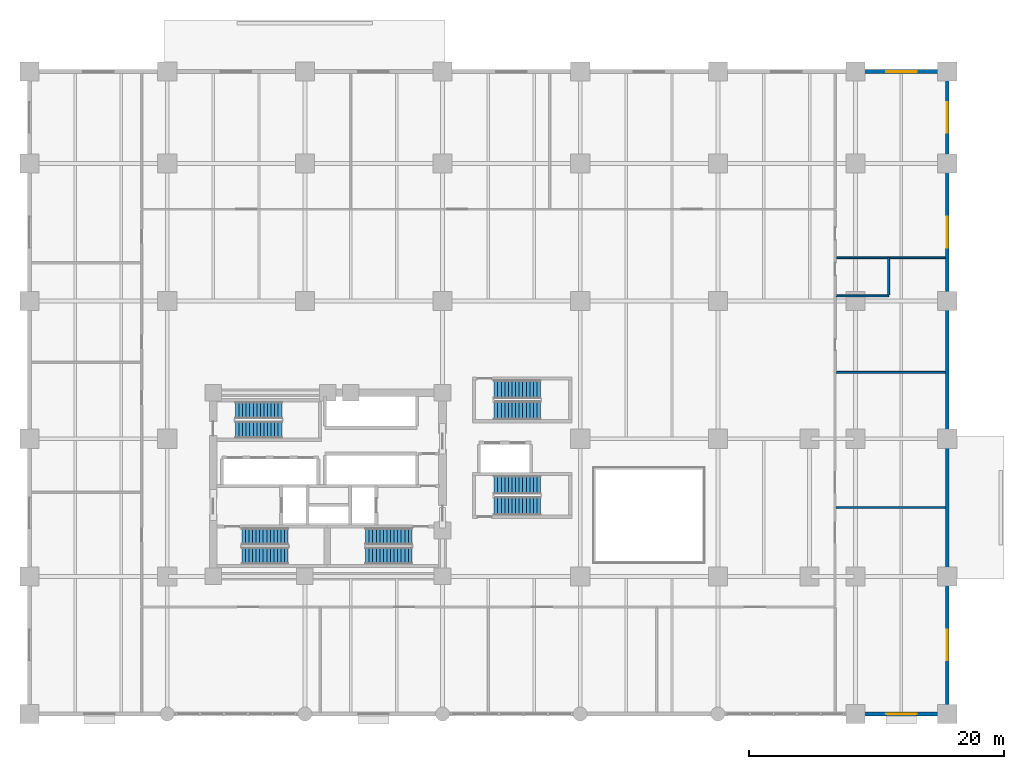
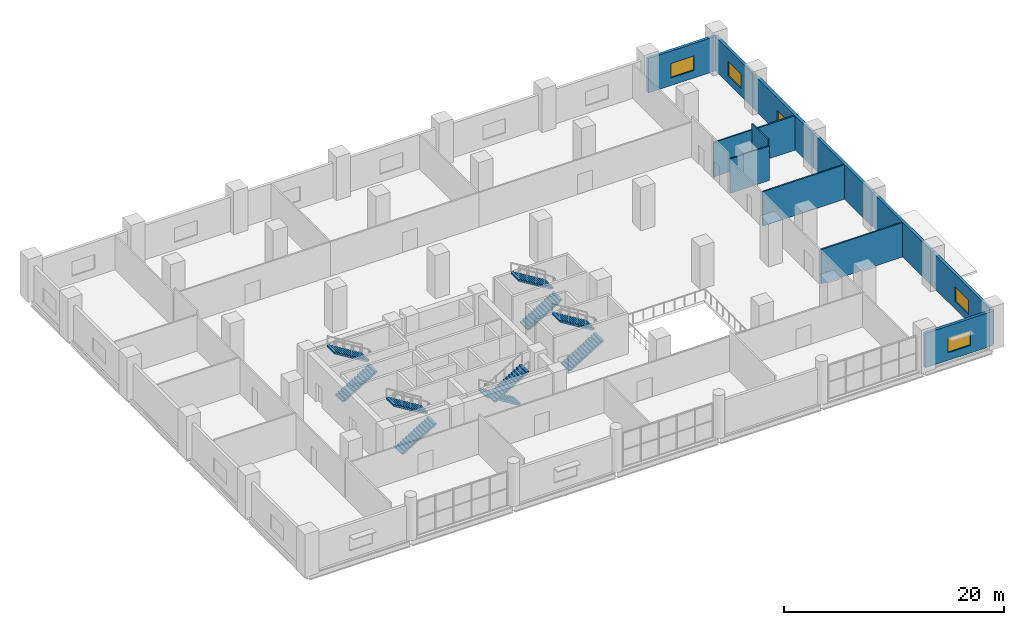
# One storey, part 13 of 16: 12 walls, 10 stair flights, 5 windows, 5 openings, 5 elements without a shape of their own.
"""IFC4 building model written with IfcOpenShell, lengths in metres."""

import ifcopenshell
import ifcopenshell.guid

model = None  # the IFC model being written
_history = None  # IfcOwnerHistory: only IFC2X3 demands one
_inside = {}  # id of a spatial element -> (the spatial element, [elements in it])
_under = {}  # id of a project, library or spatial element -> (it, [spatial elements below it])
_declared = {}  # id of a project -> (the project, [libraries it declares])
_typed = {}  # id of a type object -> (the type object, [elements of that type])
_made_of = {}  # id of a material, layer set ... -> (it, [elements and type objects made of it])


def new_model(schema):
    """Start an empty IFC model of exactly this schema.

    Asked for "IFC4X3", IfcOpenShell would pick the latest addendum, in which some entities
    have other attributes; the version numbers below select the first issue.
    IFC2X3 requires an IfcOwnerHistory on every rooted entity: one is made here for all.
    """
    global model, _history
    if schema == "IFC4X3":
        model = ifcopenshell.file(schema_version=(4, 3, 0, 0))
    else:
        model = ifcopenshell.file(schema=schema)
    _inside.clear()
    _under.clear()
    _declared.clear()
    _typed.clear()
    _made_of.clear()
    _history = None
    if model.schema == "IFC2X3":
        org = make("IfcOrganization", Name="unknown")
        user = make(
            "IfcPersonAndOrganization",
            ThePerson=make("IfcPerson", FamilyName="unknown"),
            TheOrganization=org,
        )
        app = make(
            "IfcApplication",
            ApplicationDeveloper=org,
            Version="unknown",
            ApplicationFullName="unknown",
            ApplicationIdentifier="unknown",
        )
        _history = make(
            "IfcOwnerHistory",
            OwningUser=user,
            OwningApplication=app,
            ChangeAction="ADDED",
            CreationDate=0,
        )
    return model


def make(cls, **values):
    """One entity of the class cls with the attributes given. An attribute that is None is left unset."""
    return model.create_entity(
        cls, **{name: value for name, value in values.items() if value is not None}
    )


def rooted(cls, **values):
    """An entity with a GlobalId (a new one), such as an element, a storey or a relation."""
    return make(cls, GlobalId=ifcopenshell.guid.new(), OwnerHistory=_history, **values)


def si_unit(unit_type, name, prefix=None):
    """IfcSIUnit, for example si_unit("LENGTHUNIT", "METRE", prefix="MILLI")."""
    return make("IfcSIUnit", UnitType=unit_type, Prefix=prefix, Name=name)


def assignment(units):
    """IfcUnitAssignment: the units of a project."""
    return None if units is None else make("IfcUnitAssignment", Units=units)


def point(xyz):
    """IfcCartesianPoint."""
    return None if xyz is None else make("IfcCartesianPoint", Coordinates=xyz)


def direction(xyz):
    """IfcDirection."""
    return None if xyz is None else make("IfcDirection", DirectionRatios=xyz)


def frame(location, z_axis=None, x_axis=None):
    """IfcAxis2Placement3D, a coordinate frame: its origin and axes. An axis left out is left unset."""
    return make(
        "IfcAxis2Placement3D",
        Location=point(location),
        Axis=direction(z_axis),
        RefDirection=direction(x_axis),
    )


def frame_2d(location, x_axis=None):
    """IfcAxis2Placement2D, a coordinate frame in the plane: its origin and x axis."""
    return make(
        "IfcAxis2Placement2D", Location=point(location), RefDirection=direction(x_axis)
    )


def origin():
    """The frame at (0, 0, 0) with its axes left unset."""
    return frame((0.0, 0.0, 0.0))


def place(relative_to, where):
    """IfcLocalPlacement: puts the frame where relative to a parent placement (None: the world)."""
    return make(
        "IfcLocalPlacement", PlacementRelTo=relative_to, RelativePlacement=where
    )


def context(
    kind, dimensions, precision=None, world=None, true_north=None, identifier=None
):
    """IfcGeometricRepresentationContext, for example the 3D "Model" context."""
    return make(
        "IfcGeometricRepresentationContext",
        ContextIdentifier=identifier,
        ContextType=kind,
        CoordinateSpaceDimension=dimensions,
        Precision=precision,
        WorldCoordinateSystem=world,
        TrueNorth=true_north,
    )


def subcontext(parent, identifier, kind, view, scale=None):
    """IfcGeometricRepresentationSubContext, for example "Body" below "Model"."""
    return make(
        "IfcGeometricRepresentationSubContext",
        ContextIdentifier=identifier,
        ContextType=kind,
        ParentContext=parent,
        TargetScale=scale,
        TargetView=view,
    )


def project(units=None, contexts=None):
    """IfcProject with its units and contexts."""
    return rooted(
        "IfcProject",
        Name="project",
        RepresentationContexts=contexts,
        UnitsInContext=assignment(units),
    )


def spatial(cls, under=None, at=None, **own):
    """A site, building, storey or space (cls), placed at a placement, below another one or the project."""
    s = rooted(cls, ObjectPlacement=at, **own)
    if under is not None:
        _under.setdefault(under.id(), (under, []))[1].append(s)
    return s


def polyline(points):
    """IfcPolyline through the points."""
    return make("IfcPolyline", Points=[point(p) for p in points])


def profile(cls, at=None, kind="AREA", **sizes):
    """A parametric profile (cls). Its sizes go by their IFC names, for example OverallWidth=200.0."""
    return make(cls, ProfileType=kind, Position=at, **sizes)


def rectangle(**sizes):
    """IfcRectangleProfileDef."""
    return profile("IfcRectangleProfileDef", **sizes)


def outline(outer, holes=None, kind="AREA"):
    """IfcArbitraryClosedProfileDef: a profile drawn as a closed curve; with holes, ...WithVoids."""
    if holes is None:
        return make("IfcArbitraryClosedProfileDef", ProfileType=kind, OuterCurve=outer)
    return make(
        "IfcArbitraryProfileDefWithVoids",
        ProfileType=kind,
        OuterCurve=outer,
        InnerCurves=holes,
    )


def extrude(swept, where, along, depth):
    """IfcExtrudedAreaSolid: the profile swept, set in the frame where, extruded along a direction by depth."""
    return make(
        "IfcExtrudedAreaSolid",
        SweptArea=swept,
        Position=where,
        ExtrudedDirection=direction(along),
        Depth=depth,
    )


def shape(context_of_items, identifier, shape_type, items):
    """IfcShapeRepresentation: the items that make up one representation, for example the "Body"."""
    return make(
        "IfcShapeRepresentation",
        ContextOfItems=context_of_items,
        RepresentationIdentifier=identifier,
        RepresentationType=shape_type,
        Items=items,
    )


def material(Name=None, Category=None):
    """IfcMaterial."""
    return make("IfcMaterial", Name=Name, Category=Category)


def layer(
    of_material, thickness, ventilated=None, Name=None, Category=None, Priority=None
):
    """IfcMaterialLayer: one layer of a wall or slab, of a material (None: an air gap)."""
    return make(
        "IfcMaterialLayer",
        Material=of_material,
        LayerThickness=thickness,
        IsVentilated=ventilated,
        Name=Name,
        Category=Category,
        Priority=Priority,
    )


def layer_set(layers, Name=None):
    """IfcMaterialLayerSet."""
    return make("IfcMaterialLayerSet", MaterialLayers=layers, LayerSetName=Name)


def made_of(thing, what):
    """Note that an element or type object is made of a material, layer set ...; save() writes the relation."""
    if what is not None:
        _made_of.setdefault(what.id(), (what, []))[1].append(thing)
    return thing


def type_object(cls, material=None, **own):
    """A type object (cls), such as IfcWallType, which elements share."""
    return made_of(rooted(cls, **own), material)


def element(
    cls,
    number,
    at=None,
    inside=None,
    cuts=None,
    type_object=None,
    material=None,
    context=None,
    identifier="Body",
    shape_type=None,
    held_by="IfcProductDefinitionShape",
    body=None,
    shapes=None,
    **own,
):
    """One element of the class cls, such as IfcWall. Its Tag is "e" and its number.

    at: its placement. inside: the storey or other place that contains it. cuts: it is an
    opening in that element (IfcRelVoidsElement). A single representation is given by context,
    identifier, shape_type and body (its items); several are given by shapes. held_by: the class
    of the entity that holds the representations. save() writes the other relations.
    """
    e = rooted(cls, Tag="e%d" % number, ObjectPlacement=at, **own)
    if body is not None:
        shapes = [shape(context, identifier, shape_type, body)]
    if shapes is not None:
        e.Representation = make(held_by, Representations=shapes)
    if inside is not None:
        _inside.setdefault(inside.id(), (inside, []))[1].append(e)
    if cuts is not None:
        rooted(
            "IfcRelVoidsElement", RelatingBuildingElement=cuts, RelatedOpeningElement=e
        )
    if type_object is not None:
        _typed.setdefault(type_object.id(), (type_object, []))[1].append(e)
    return made_of(e, material)


def fill(opening, filler):
    """IfcRelFillsElement: the door or window that sits in an opening."""
    return rooted(
        "IfcRelFillsElement",
        RelatingOpeningElement=opening,
        RelatedBuildingElement=filler,
    )


def aggregate(whole, parts):
    """IfcRelAggregates: a whole, such as a stair, and the parts it consists of."""
    return rooted("IfcRelAggregates", RelatingObject=whole, RelatedObjects=parts)


def save(model, path):
    """Write the relations noted so far, then the file.

    IfcRelAggregates (storeys below a building ...), IfcRelContainedInSpatialStructure (elements
    in a storey), IfcRelDefinesByType, IfcRelAssociatesMaterial and IfcRelDeclares: one each for
    every whole, place, type object, material and project.
    """
    for whole, parts in _under.values():
        aggregate(whole, parts)
    for where, things in _inside.values():
        rooted(
            "IfcRelContainedInSpatialStructure",
            RelatedElements=things,
            RelatingStructure=where,
        )
    for kind, things in _typed.values():
        rooted("IfcRelDefinesByType", RelatedObjects=things, RelatingType=kind)
    for what, things in _made_of.values():
        rooted("IfcRelAssociatesMaterial", RelatedObjects=things, RelatingMaterial=what)
    for by, libraries in _declared.values():
        rooted("IfcRelDeclares", RelatingContext=by, RelatedDefinitions=libraries)
    model.write(path)


model = new_model("IFC4")

# Units and contexts
model_context = context("Model", 3, precision=1e-05, world=origin(), true_north=direction((0.0, 1.0)))
body_context = subcontext(model_context, "Body", "Model", "MODEL_VIEW")
ifc_project = project(units=[si_unit("LENGTHUNIT", "METRE"), si_unit("AREAUNIT", "SQUARE_METRE"), si_unit("VOLUMEUNIT", "CUBIC_METRE"), si_unit("PLANEANGLEUNIT", "RADIAN"), si_unit("MASSUNIT", "GRAM", prefix="KILO")], contexts=[model_context])

# Site, building, storey
site_placement = place(None, origin())
site = spatial("IfcSite", under=ifc_project, at=site_placement, CompositionType="ELEMENT")
building_placement = place(site_placement, origin())
building = spatial("IfcBuilding", under=site, at=building_placement, Name="Solnavia Interchange Tower", CompositionType="ELEMENT")
storey_placement = place(building_placement, frame((0.0, 0.0, 5.39990234375)))
storey = spatial("IfcBuildingStorey", under=building, at=storey_placement, Name="L01", CompositionType="ELEMENT", Elevation=5.39990234375)

# Wall, opening, window
ifc_material_1 = material(Name="Concrete C40/50", Category="concrete")
ifc_layer_1 = layer(ifc_material_1, 0.300048828125)
ifc_layer_set_1 = layer_set([ifc_layer_1], Name="Concrete C40/50")
wall_type_1 = type_object("IfcWallType", Name="Wall-ExtSpandrel-300", PredefinedType="STANDARD", material=ifc_layer_set_1)
wall_1_placement = place(storey_placement, frame((72.0, 0.0, 0.0), z_axis=(0.0, 0.0, 1.0), x_axis=(-1.0, 0.0, 0.0)))
wall_1 = element("IfcWall", 1, at=wall_1_placement, inside=storey, type_object=wall_type_1, Name="EXW-L01-S07 South podium wall", PredefinedType="STANDARD", context=body_context, shape_type="SweptSolid", body=[
    extrude(rectangle(XDim=7.199951171875, YDim=0.300048828125, at=frame_2d((3.60009765625, 0.0))), origin(), (0.0, 0.0, 1.0), 3.830078125),
])
opening_1_placement = place(wall_1_placement, frame((2.39990234375, 0.0, 0.85009765625)))
opening_1 = element("IfcOpeningElement", 2, at=opening_1_placement, cuts=wall_1, Name="Opening WIN-06", PredefinedType="OPENING", context=body_context, shape_type="SweptSolid", body=[
    extrude(rectangle(XDim=2.39990234375, YDim=1.60009765625, at=frame_2d((1.199951171875, 0.800048828125))), frame((0.0, 0.16015625, 0.0), z_axis=(0.0, -1.0, 0.0), x_axis=(1.0, 0.0, 0.0)), (0.0, 0.0, 1.0), 0.320068359375),
])
ifc_material_2 = material(Name="Thermal-Break Aluminium & Low-E Glass", Category="aluminium")
window_type = type_object("IfcWindowType", Name="Window-Podium-2400x1600", PartitioningType="SINGLE_PANEL", PredefinedType="WINDOW", material=ifc_material_2)
window_1_placement = place(opening_1_placement, origin())
window_1 = element("IfcWindow", 3, at=window_1_placement, inside=storey, type_object=window_type, Name="WIN-L01-S07 South podium window", OverallHeight=1.60009765625, OverallWidth=2.39990234375, PartitioningType="SINGLE_PANEL", PredefinedType="WINDOW", context=body_context, shape_type="SweptSolid", body=[
    extrude(rectangle(XDim=2.39990234375, YDim=1.60009765625, at=frame_2d((1.199951171875, 0.800048828125))), frame((0.0, 0.030029296875, 0.0), z_axis=(0.0, -1.0, 0.0), x_axis=(1.0, 0.0, 0.0)), (0.0, 0.0, 1.0), 0.06005859375),
])
fill(opening_1, window_1)

wall_2_placement = place(storey_placement, frame((72.0, 10.800048828125, 0.0), z_axis=(0.0, 0.0, 1.0), x_axis=(0.0, -1.0, 0.0)))
wall_2 = element("IfcWall", 4, at=wall_2_placement, inside=storey, type_object=wall_type_1, Name="EXW-L01-E01 East podium wall", PredefinedType="STANDARD", context=body_context, shape_type="SweptSolid", body=[
    extrude(rectangle(XDim=10.800048828125, YDim=0.300048828125, at=frame_2d((5.39990234375, 0.0))), origin(), (0.0, 0.0, 1.0), 3.830078125),
])
opening_2_placement = place(wall_2_placement, frame((4.199951171875, 0.0, 0.85009765625)))
opening_2 = element("IfcOpeningElement", 5, at=opening_2_placement, cuts=wall_2, Name="Opening WIN-06", PredefinedType="OPENING", context=body_context, shape_type="SweptSolid", body=[
    extrude(rectangle(XDim=2.39990234375, YDim=1.60009765625, at=frame_2d((1.199951171875, 0.800048828125))), frame((0.0, 0.16015625, 0.0), z_axis=(0.0, -1.0, 0.0), x_axis=(1.0, 0.0, 0.0)), (0.0, 0.0, 1.0), 0.320068359375),
])
window_2_placement = place(opening_2_placement, origin())
window_2 = element("IfcWindow", 6, at=window_2_placement, inside=storey, type_object=window_type, Name="WIN-L01-E01 East podium window", OverallHeight=1.60009765625, OverallWidth=2.39990234375, PartitioningType="SINGLE_PANEL", PredefinedType="WINDOW", context=body_context, shape_type="SweptSolid", body=[
    extrude(rectangle(XDim=2.39990234375, YDim=1.60009765625, at=frame_2d((1.199951171875, 0.800048828125))), frame((0.0, 0.030029296875, 0.0), z_axis=(0.0, -1.0, 0.0), x_axis=(1.0, 0.0, 0.0)), (0.0, 0.0, 1.0), 0.06005859375),
])
fill(opening_2, window_2)

# Walls
wall_3_placement = place(storey_placement, frame((72.0, 21.60009765625, 0.0), z_axis=(0.0, 0.0, 1.0), x_axis=(0.0, -1.0, 0.0)))
element("IfcWall", 7, at=wall_3_placement, inside=storey, type_object=wall_type_1, Name="EXW-L01-E02 East podium wall", PredefinedType="STANDARD", context=body_context, shape_type="SweptSolid", body=[
    extrude(rectangle(XDim=10.800048828125, YDim=0.300048828125, at=frame_2d((5.39990234375, 0.0))), origin(), (0.0, 0.0, 1.0), 3.830078125),
])
wall_4_placement = place(storey_placement, frame((72.0, 32.39990234375, 0.0), z_axis=(0.0, 0.0, 1.0), x_axis=(0.0, -1.0, 0.0)))
element("IfcWall", 8, at=wall_4_placement, inside=storey, type_object=wall_type_1, Name="EXW-L01-E03 East podium wall", PredefinedType="STANDARD", context=body_context, shape_type="SweptSolid", body=[
    extrude(rectangle(XDim=10.7998046875, YDim=0.300048828125, at=frame_2d((5.39990234375, 0.0))), origin(), (0.0, 0.0, 1.0), 3.830078125),
])

# Wall, opening, window
wall_5_placement = place(storey_placement, frame((72.0, 43.199951171875, 0.0), z_axis=(0.0, 0.0, 1.0), x_axis=(0.0, -1.0, 0.0)))
wall_5 = element("IfcWall", 9, at=wall_5_placement, inside=storey, type_object=wall_type_1, Name="EXW-L01-E04 East podium wall", PredefinedType="STANDARD", context=body_context, shape_type="SweptSolid", body=[
    extrude(rectangle(XDim=10.800048828125, YDim=0.300048828125, at=frame_2d((5.39990234375, 0.0))), origin(), (0.0, 0.0, 1.0), 3.830078125),
])
opening_3_placement = place(wall_5_placement, frame((4.199951171875, 0.0, 0.85009765625)))
opening_3 = element("IfcOpeningElement", 10, at=opening_3_placement, cuts=wall_5, Name="Opening WIN-06", PredefinedType="OPENING", context=body_context, shape_type="SweptSolid", body=[
    extrude(rectangle(XDim=2.39990234375, YDim=1.60009765625, at=frame_2d((1.199951171875, 0.800048828125))), frame((0.0, 0.16015625, 0.0), z_axis=(0.0, -1.0, 0.0), x_axis=(1.0, 0.0, 0.0)), (0.0, 0.0, 1.0), 0.320068359375),
])
window_3_placement = place(opening_3_placement, origin())
window_3 = element("IfcWindow", 11, at=window_3_placement, inside=storey, type_object=window_type, Name="WIN-L01-E04 East podium window", OverallHeight=1.60009765625, OverallWidth=2.39990234375, PartitioningType="SINGLE_PANEL", PredefinedType="WINDOW", context=body_context, shape_type="SweptSolid", body=[
    extrude(rectangle(XDim=2.39990234375, YDim=1.60009765625, at=frame_2d((1.199951171875, 0.800048828125))), frame((0.0, 0.030029296875, 0.0), z_axis=(0.0, -1.0, 0.0), x_axis=(1.0, 0.0, 0.0)), (0.0, 0.0, 1.0), 0.06005859375),
])
fill(opening_3, window_3)

wall_6_placement = place(storey_placement, frame((72.0, 50.39990234375, 0.0), z_axis=(0.0, 0.0, 1.0), x_axis=(0.0, -1.0, 0.0)))
wall_6 = element("IfcWall", 12, at=wall_6_placement, inside=storey, type_object=wall_type_1, Name="EXW-L01-E05 East podium wall", PredefinedType="STANDARD", context=body_context, shape_type="SweptSolid", body=[
    extrude(rectangle(XDim=7.199951171875, YDim=0.300048828125, at=frame_2d((3.60009765625, 0.0))), origin(), (0.0, 0.0, 1.0), 3.830078125),
])
opening_4_placement = place(wall_6_placement, frame((2.39990234375, 0.0, 0.85009765625)))
opening_4 = element("IfcOpeningElement", 13, at=opening_4_placement, cuts=wall_6, Name="Opening WIN-06", PredefinedType="OPENING", context=body_context, shape_type="SweptSolid", body=[
    extrude(rectangle(XDim=2.39990234375, YDim=1.60009765625, at=frame_2d((1.199951171875, 0.800048828125))), frame((0.0, 0.16015625, 0.0), z_axis=(0.0, -1.0, 0.0), x_axis=(1.0, 0.0, 0.0)), (0.0, 0.0, 1.0), 0.320068359375),
])
window_4_placement = place(opening_4_placement, origin())
window_4 = element("IfcWindow", 14, at=window_4_placement, inside=storey, type_object=window_type, Name="WIN-L01-E05 East podium window", OverallHeight=1.60009765625, OverallWidth=2.39990234375, PartitioningType="SINGLE_PANEL", PredefinedType="WINDOW", context=body_context, shape_type="SweptSolid", body=[
    extrude(rectangle(XDim=2.39990234375, YDim=1.60009765625, at=frame_2d((1.199951171875, 0.800048828125))), frame((0.0, 0.030029296875, 0.0), z_axis=(0.0, -1.0, 0.0), x_axis=(1.0, 0.0, 0.0)), (0.0, 0.0, 1.0), 0.06005859375),
])
fill(opening_4, window_4)

wall_7_placement = place(storey_placement, frame((64.800048828125, 50.39990234375, 0.0), z_axis=(0.0, 0.0, 1.0), x_axis=(1.0, 0.0, 0.0)))
wall_7 = element("IfcWall", 15, at=wall_7_placement, inside=storey, type_object=wall_type_1, Name="EXW-L01-N07 North podium wall", PredefinedType="STANDARD", context=body_context, shape_type="SweptSolid", body=[
    extrude(rectangle(XDim=7.199951171875, YDim=0.300048828125, at=frame_2d((3.60009765625, 0.0))), origin(), (0.0, 0.0, 1.0), 3.830078125),
])
opening_5_placement = place(wall_7_placement, frame((2.39990234375, 0.0, 0.85009765625)))
opening_5 = element("IfcOpeningElement", 16, at=opening_5_placement, cuts=wall_7, Name="Opening WIN-06", PredefinedType="OPENING", context=body_context, shape_type="SweptSolid", body=[
    extrude(rectangle(XDim=2.39990234375, YDim=1.60009765625, at=frame_2d((1.199951171875, 0.800048828125))), frame((0.0, 0.16015625, 0.0), z_axis=(0.0, -1.0, 0.0), x_axis=(1.0, 0.0, 0.0)), (0.0, 0.0, 1.0), 0.320068359375),
])
window_5_placement = place(opening_5_placement, origin())
window_5 = element("IfcWindow", 17, at=window_5_placement, inside=storey, type_object=window_type, Name="WIN-L01-N07 North podium window", OverallHeight=1.60009765625, OverallWidth=2.39990234375, PartitioningType="SINGLE_PANEL", PredefinedType="WINDOW", context=body_context, shape_type="SweptSolid", body=[
    extrude(rectangle(XDim=2.39990234375, YDim=1.60009765625, at=frame_2d((1.199951171875, 0.800048828125))), frame((0.0, 0.030029296875, 0.0), z_axis=(0.0, -1.0, 0.0), x_axis=(1.0, 0.0, 0.0)), (0.0, 0.0, 1.0), 0.06005859375),
])
fill(opening_5, window_5)

# Walls
ifc_material_3 = material(Name="Gypsum Plasterboard & Steel Stud", Category="steel")
ifc_layer_2 = layer(ifc_material_3, 0.14990234375)
ifc_layer_set_2 = layer_set([ifc_layer_2], Name="Gypsum Plasterboard & Steel Stud")
wall_type_2 = type_object("IfcWallType", Name="Wall-Partition-150", PredefinedType="PARTITIONING", material=ifc_layer_set_2)
wall_8_placement = place(storey_placement, frame((63.279052734375, 16.199951171875, 0.0), z_axis=(0.0, 0.0, 1.0), x_axis=(1.0, 0.0, 0.0)))
element("IfcWall", 18, at=wall_8_placement, inside=storey, type_object=wall_type_2, Name="PTW-L01-24 Interior partition wall", PredefinedType="PARTITIONING", context=body_context, shape_type="SweptSolid", body=[
    extrude(rectangle(XDim=8.56689453125, YDim=0.14990234375, at=frame_2d((4.283447265625, 0.0))), origin(), (0.0, 0.0, 1.0), 3.830078125),
])
ifc_material_4 = material(Name="Moisture-Resistant Gypsum & Steel Stud", Category="steel")
ifc_layer_3 = layer(ifc_material_4, 0.14990234375)
ifc_layer_set_3 = layer_set([ifc_layer_3], Name="Moisture-Resistant Gypsum & Steel Stud")
wall_type_3 = type_object("IfcWallType", Name="Wall-WetRoom-150", PredefinedType="PARTITIONING", material=ifc_layer_set_3)
wall_9_placement = place(storey_placement, frame((63.279052734375, 26.800048828125, 0.0), z_axis=(0.0, 0.0, 1.0), x_axis=(1.0, 0.0, 0.0)))
element("IfcWall", 19, at=wall_9_placement, inside=storey, type_object=wall_type_3, Name="PTW-L01-26 Interior partition wall", PredefinedType="PARTITIONING", context=body_context, shape_type="SweptSolid", body=[
    extrude(rectangle(XDim=8.56689453125, YDim=0.14990234375, at=frame_2d((4.283447265625, 0.0))), origin(), (0.0, 0.0, 1.0), 3.830078125),
])
wall_10_placement = place(storey_placement, frame((63.279052734375, 32.800048828125, 0.0), z_axis=(0.0, 0.0, 1.0), x_axis=(1.0, 0.0, 0.0)))
element("IfcWall", 20, at=wall_10_placement, inside=storey, type_object=wall_type_3, Name="PTW-L01-28 Interior partition wall", PredefinedType="PARTITIONING", context=body_context, shape_type="SweptSolid", body=[
    extrude(rectangle(XDim=4.120849609375, YDim=0.14990234375, at=frame_2d((2.060546875, 0.0))), origin(), (0.0, 0.0, 1.0), 3.830078125),
])
wall_11_placement = place(storey_placement, frame((67.39990234375, 32.87890625, 0.0), z_axis=(0.0, 0.0, 1.0), x_axis=(0.0, 1.0, 0.0)))
element("IfcWall", 21, at=wall_11_placement, inside=storey, type_object=wall_type_3, Name="PTW-L01-29 Interior partition wall", PredefinedType="PARTITIONING", context=body_context, shape_type="SweptSolid", body=[
    extrude(rectangle(XDim=2.921142578125, YDim=0.14990234375, at=frame_2d((1.46044921875, 0.0))), origin(), (0.0, 0.0, 1.0), 4.485107421875),
])
wall_12_placement = place(storey_placement, frame((63.279052734375, 35.800048828125, 0.0), z_axis=(0.0, 0.0, 1.0), x_axis=(1.0, 0.0, 0.0)))
element("IfcWall", 22, at=wall_12_placement, inside=storey, type_object=wall_type_3, Name="PTW-L01-31 Interior partition wall", PredefinedType="PARTITIONING", context=body_context, shape_type="SweptSolid", body=[
    extrude(rectangle(XDim=8.56689453125, YDim=0.14990234375, at=frame_2d((4.283447265625, 0.0))), origin(), (0.0, 0.0, 1.0), 3.830078125),
])

# Stair, stair flights
stair_type = type_object("IfcStairType", Name="Stair-Dogleg-RC", PredefinedType="HALF_TURN_STAIR", material=ifc_material_1)
stair_1_placement = place(storey_placement, origin())
stair_1 = element("IfcStair", 23, at=stair_1_placement, inside=storey, type_object=stair_type, Name="L01 Core exit stair 1", PredefinedType="HALF_TURN_STAIR")
stair_flight_type = type_object("IfcStairFlightType", Name="StairFlight-RC-150", PredefinedType="STRAIGHT", material=ifc_material_1)
stair_flight_1_placement = place(storey_placement, frame((16.64990234375, 12.409912109375, 0.0), z_axis=(0.0, 0.0, 1.0), x_axis=(1.0, 0.0, 0.0)))
stair_flight_1 = element("IfcStairFlight", 24, at=stair_flight_1_placement, type_object=stair_flight_type, Name="ST-1 flight 1", NumberOfRisers=14, NumberOfTreads=13, PredefinedType="STRAIGHT", RiserHeight=0.171428571, TreadLength=0.28, context=body_context, shape_type="SweptSolid", body=[
    extrude(outline(polyline([(0.0, 0.0), (0.0, 0.17138671875), (0.280029296875, 0.17138671875), (0.280029296875, 0.3427734375), (0.56005859375, 0.3427734375), (0.56005859375, 0.514404296875), (0.840087890625, 0.514404296875), (0.840087890625, 0.685791015625), (1.1201171875, 0.685791015625), (1.1201171875, 0.857177734375), (1.39990234375, 0.857177734375), (1.39990234375, 1.028564453125), (1.679931640625, 1.028564453125), (1.679931640625, 1.199951171875), (1.9599609375, 1.199951171875), (1.9599609375, 1.371337890625), (2.239990234375, 1.371337890625), (2.239990234375, 1.54296875), (2.52001953125, 1.54296875), (2.52001953125, 1.71435546875), (2.800048828125, 1.71435546875), (2.800048828125, 1.8857421875), (3.080078125, 1.8857421875), (3.080078125, 2.05712890625), (3.360107421875, 2.05712890625), (3.360107421875, 2.228515625), (3.639892578125, 2.228515625), (3.639892578125, 2.39990234375), (3.639892578125, 2.052734375), (0.287109375, 0.0), (0.0, 0.0)])), frame((0.0, 0.66015625, 0.0), z_axis=(0.0, -1.0, 0.0), x_axis=(1.0, 0.0, 0.0)), (0.0, 0.0, 1.0), 1.320068359375),
])
stair_flight_2_placement = place(storey_placement, frame((20.2900390625, 13.929931640625, 2.400146484375), z_axis=(0.0, 0.0, 1.0), x_axis=(-1.0, 0.0, 0.0)))
stair_flight_2 = element("IfcStairFlight", 25, at=stair_flight_2_placement, type_object=stair_flight_type, Name="ST-1 flight 2", NumberOfRisers=14, NumberOfTreads=13, PredefinedType="STRAIGHT", RiserHeight=0.171428571, TreadLength=0.28, context=body_context, shape_type="SweptSolid", body=[
    extrude(outline(polyline([(0.0, 0.0), (0.0, 0.17138671875), (0.280029296875, 0.17138671875), (0.280029296875, 0.3427734375), (0.56005859375, 0.3427734375), (0.56005859375, 0.514404296875), (0.840087890625, 0.514404296875), (0.840087890625, 0.685791015625), (1.1201171875, 0.685791015625), (1.1201171875, 0.857177734375), (1.39990234375, 0.857177734375), (1.39990234375, 1.028564453125), (1.679931640625, 1.028564453125), (1.679931640625, 1.199951171875), (1.9599609375, 1.199951171875), (1.9599609375, 1.371337890625), (2.239990234375, 1.371337890625), (2.239990234375, 1.54296875), (2.52001953125, 1.54296875), (2.52001953125, 1.71435546875), (2.800048828125, 1.71435546875), (2.800048828125, 1.8857421875), (3.080078125, 1.8857421875), (3.080078125, 2.05712890625), (3.360107421875, 2.05712890625), (3.360107421875, 2.228515625), (3.639892578125, 2.228515625), (3.639892578125, 2.39990234375), (3.639892578125, 2.052734375), (0.287109375, 0.0), (0.0, 0.0)])), frame((0.0, 0.66015625, 0.0), z_axis=(0.0, -1.0, 0.0), x_axis=(1.0, 0.0, 0.0)), (0.0, 0.0, 1.0), 1.320068359375),
])
aggregate(stair_1, [stair_flight_1, stair_flight_2])

stair_2_placement = place(storey_placement, origin())
stair_2 = element("IfcStair", 26, at=stair_2_placement, inside=storey, type_object=stair_type, Name="L01 Core exit stair 2", PredefinedType="HALF_TURN_STAIR")
stair_flight_3_placement = place(storey_placement, frame((30.0, 13.929931640625, 0.0), z_axis=(0.0, 0.0, 1.0), x_axis=(-1.0, 0.0, 0.0)))
stair_flight_3 = element("IfcStairFlight", 27, at=stair_flight_3_placement, type_object=stair_flight_type, Name="ST-2 flight 1", NumberOfRisers=14, NumberOfTreads=13, PredefinedType="STRAIGHT", RiserHeight=0.171428571, TreadLength=0.28, context=body_context, shape_type="SweptSolid", body=[
    extrude(outline(polyline([(0.0, 0.0), (0.0, 0.17138671875), (0.280029296875, 0.17138671875), (0.280029296875, 0.3427734375), (0.56005859375, 0.3427734375), (0.56005859375, 0.514404296875), (0.840087890625, 0.514404296875), (0.840087890625, 0.685791015625), (1.1201171875, 0.685791015625), (1.1201171875, 0.857177734375), (1.39990234375, 0.857177734375), (1.39990234375, 1.028564453125), (1.679931640625, 1.028564453125), (1.679931640625, 1.199951171875), (1.9599609375, 1.199951171875), (1.9599609375, 1.371337890625), (2.239990234375, 1.371337890625), (2.239990234375, 1.54296875), (2.52001953125, 1.54296875), (2.52001953125, 1.71435546875), (2.800048828125, 1.71435546875), (2.800048828125, 1.8857421875), (3.080078125, 1.8857421875), (3.080078125, 2.05712890625), (3.360107421875, 2.05712890625), (3.360107421875, 2.228515625), (3.639892578125, 2.228515625), (3.639892578125, 2.39990234375), (3.639892578125, 2.052734375), (0.287109375, 0.0), (0.0, 0.0)])), frame((0.0, 0.66015625, 0.0), z_axis=(0.0, -1.0, 0.0), x_axis=(1.0, 0.0, 0.0)), (0.0, 0.0, 1.0), 1.320068359375),
])
stair_flight_4_placement = place(storey_placement, frame((26.360107421875, 12.409912109375, 2.400146484375), z_axis=(0.0, 0.0, 1.0), x_axis=(1.0, 0.0, 0.0)))
stair_flight_4 = element("IfcStairFlight", 28, at=stair_flight_4_placement, type_object=stair_flight_type, Name="ST-2 flight 2", NumberOfRisers=14, NumberOfTreads=13, PredefinedType="STRAIGHT", RiserHeight=0.171428571, TreadLength=0.28, context=body_context, shape_type="SweptSolid", body=[
    extrude(outline(polyline([(0.0, 0.0), (0.0, 0.17138671875), (0.280029296875, 0.17138671875), (0.280029296875, 0.3427734375), (0.56005859375, 0.3427734375), (0.56005859375, 0.514404296875), (0.840087890625, 0.514404296875), (0.840087890625, 0.685791015625), (1.1201171875, 0.685791015625), (1.1201171875, 0.857177734375), (1.39990234375, 0.857177734375), (1.39990234375, 1.028564453125), (1.679931640625, 1.028564453125), (1.679931640625, 1.199951171875), (1.9599609375, 1.199951171875), (1.9599609375, 1.371337890625), (2.239990234375, 1.371337890625), (2.239990234375, 1.54296875), (2.52001953125, 1.54296875), (2.52001953125, 1.71435546875), (2.800048828125, 1.71435546875), (2.800048828125, 1.8857421875), (3.080078125, 1.8857421875), (3.080078125, 2.05712890625), (3.360107421875, 2.05712890625), (3.360107421875, 2.228515625), (3.639892578125, 2.228515625), (3.639892578125, 2.39990234375), (3.639892578125, 2.052734375), (0.287109375, 0.0), (0.0, 0.0)])), frame((0.0, 0.66015625, 0.0), z_axis=(0.0, -1.0, 0.0), x_axis=(1.0, 0.0, 0.0)), (0.0, 0.0, 1.0), 1.320068359375),
])
aggregate(stair_2, [stair_flight_3, stair_flight_4])

stair_3_placement = place(storey_placement, origin())
stair_3 = element("IfcStair", 29, at=stair_3_placement, inside=storey, type_object=stair_type, Name="L01 Core exit stair 3", PredefinedType="HALF_TURN_STAIR")
stair_flight_5_placement = place(storey_placement, frame((16.14990234375, 22.31005859375, 0.0), z_axis=(0.0, 0.0, 1.0), x_axis=(1.0, 0.0, 0.0)))
stair_flight_5 = element("IfcStairFlight", 30, at=stair_flight_5_placement, type_object=stair_flight_type, Name="ST-3 flight 1", NumberOfRisers=14, NumberOfTreads=13, PredefinedType="STRAIGHT", RiserHeight=0.171428571, TreadLength=0.28, context=body_context, shape_type="SweptSolid", body=[
    extrude(outline(polyline([(0.0, 0.0), (0.0, 0.17138671875), (0.280029296875, 0.17138671875), (0.280029296875, 0.3427734375), (0.56005859375, 0.3427734375), (0.56005859375, 0.514404296875), (0.840087890625, 0.514404296875), (0.840087890625, 0.685791015625), (1.1201171875, 0.685791015625), (1.1201171875, 0.857177734375), (1.39990234375, 0.857177734375), (1.39990234375, 1.028564453125), (1.679931640625, 1.028564453125), (1.679931640625, 1.199951171875), (1.9599609375, 1.199951171875), (1.9599609375, 1.371337890625), (2.239990234375, 1.371337890625), (2.239990234375, 1.54296875), (2.52001953125, 1.54296875), (2.52001953125, 1.71435546875), (2.800048828125, 1.71435546875), (2.800048828125, 1.8857421875), (3.080078125, 1.8857421875), (3.080078125, 2.05712890625), (3.360107421875, 2.05712890625), (3.360107421875, 2.228515625), (3.639892578125, 2.228515625), (3.639892578125, 2.39990234375), (3.639892578125, 2.052734375), (0.287109375, 0.0), (0.0, 0.0)])), frame((0.0, 0.66015625, 0.0), z_axis=(0.0, -1.0, 0.0), x_axis=(1.0, 0.0, 0.0)), (0.0, 0.0, 1.0), 1.320068359375),
])
stair_flight_6_placement = place(storey_placement, frame((19.7900390625, 23.830078125, 2.400146484375), z_axis=(0.0, 0.0, 1.0), x_axis=(-1.0, 0.0, 0.0)))
stair_flight_6 = element("IfcStairFlight", 31, at=stair_flight_6_placement, type_object=stair_flight_type, Name="ST-3 flight 2", NumberOfRisers=14, NumberOfTreads=13, PredefinedType="STRAIGHT", RiserHeight=0.171428571, TreadLength=0.28, context=body_context, shape_type="SweptSolid", body=[
    extrude(outline(polyline([(0.0, 0.0), (0.0, 0.17138671875), (0.280029296875, 0.17138671875), (0.280029296875, 0.3427734375), (0.56005859375, 0.3427734375), (0.56005859375, 0.514404296875), (0.840087890625, 0.514404296875), (0.840087890625, 0.685791015625), (1.1201171875, 0.685791015625), (1.1201171875, 0.857177734375), (1.39990234375, 0.857177734375), (1.39990234375, 1.028564453125), (1.679931640625, 1.028564453125), (1.679931640625, 1.199951171875), (1.9599609375, 1.199951171875), (1.9599609375, 1.371337890625), (2.239990234375, 1.371337890625), (2.239990234375, 1.54296875), (2.52001953125, 1.54296875), (2.52001953125, 1.71435546875), (2.800048828125, 1.71435546875), (2.800048828125, 1.8857421875), (3.080078125, 1.8857421875), (3.080078125, 2.05712890625), (3.360107421875, 2.05712890625), (3.360107421875, 2.228515625), (3.639892578125, 2.228515625), (3.639892578125, 2.39990234375), (3.639892578125, 2.052734375), (0.287109375, 0.0), (0.0, 0.0)])), frame((0.0, 0.66015625, 0.0), z_axis=(0.0, -1.0, 0.0), x_axis=(1.0, 0.0, 0.0)), (0.0, 0.0, 1.0), 1.320068359375),
])
aggregate(stair_3, [stair_flight_5, stair_flight_6])

stair_4_placement = place(storey_placement, origin())
stair_4 = element("IfcStair", 32, at=stair_4_placement, inside=storey, type_object=stair_type, Name="L01 Podium exit stair 1", PredefinedType="HALF_TURN_STAIR")
stair_flight_7_placement = place(storey_placement, frame((36.449951171875, 16.324951171875, 0.0), z_axis=(0.0, 0.0, 1.0), x_axis=(1.0, 0.0, 0.0)))
stair_flight_7 = element("IfcStairFlight", 33, at=stair_flight_7_placement, type_object=stair_flight_type, Name="ST-P1 flight 1", NumberOfRisers=14, NumberOfTreads=13, PredefinedType="STRAIGHT", RiserHeight=0.171428571, TreadLength=0.28, context=body_context, shape_type="SweptSolid", body=[
    extrude(outline(polyline([(0.0, 0.0), (0.0, 0.17138671875), (0.280029296875, 0.17138671875), (0.280029296875, 0.3427734375), (0.56005859375, 0.3427734375), (0.56005859375, 0.514404296875), (0.840087890625, 0.514404296875), (0.840087890625, 0.685791015625), (1.1201171875, 0.685791015625), (1.1201171875, 0.857177734375), (1.39990234375, 0.857177734375), (1.39990234375, 1.028564453125), (1.679931640625, 1.028564453125), (1.679931640625, 1.199951171875), (1.9599609375, 1.199951171875), (1.9599609375, 1.371337890625), (2.239990234375, 1.371337890625), (2.239990234375, 1.54296875), (2.52001953125, 1.54296875), (2.52001953125, 1.71435546875), (2.800048828125, 1.71435546875), (2.800048828125, 1.8857421875), (3.080078125, 1.8857421875), (3.080078125, 2.05712890625), (3.360107421875, 2.05712890625), (3.360107421875, 2.228515625), (3.639892578125, 2.228515625), (3.639892578125, 2.39990234375), (3.639892578125, 2.052734375), (0.287109375, 0.0), (0.0, 0.0)])), frame((0.0, 0.72509765625, 0.0), z_axis=(0.0, -1.0, 0.0), x_axis=(1.0, 0.0, 0.0)), (0.0, 0.0, 1.0), 1.449951171875),
])
stair_flight_8_placement = place(storey_placement, frame((40.090087890625, 17.97509765625, 2.400146484375), z_axis=(0.0, 0.0, 1.0), x_axis=(-1.0, 0.0, 0.0)))
stair_flight_8 = element("IfcStairFlight", 34, at=stair_flight_8_placement, type_object=stair_flight_type, Name="ST-P1 flight 2", NumberOfRisers=14, NumberOfTreads=13, PredefinedType="STRAIGHT", RiserHeight=0.171428571, TreadLength=0.28, context=body_context, shape_type="SweptSolid", body=[
    extrude(outline(polyline([(0.0, 0.0), (0.0, 0.17138671875), (0.280029296875, 0.17138671875), (0.280029296875, 0.3427734375), (0.56005859375, 0.3427734375), (0.56005859375, 0.514404296875), (0.840087890625, 0.514404296875), (0.840087890625, 0.685791015625), (1.1201171875, 0.685791015625), (1.1201171875, 0.857177734375), (1.39990234375, 0.857177734375), (1.39990234375, 1.028564453125), (1.679931640625, 1.028564453125), (1.679931640625, 1.199951171875), (1.9599609375, 1.199951171875), (1.9599609375, 1.371337890625), (2.239990234375, 1.371337890625), (2.239990234375, 1.54296875), (2.52001953125, 1.54296875), (2.52001953125, 1.71435546875), (2.800048828125, 1.71435546875), (2.800048828125, 1.8857421875), (3.080078125, 1.8857421875), (3.080078125, 2.05712890625), (3.360107421875, 2.05712890625), (3.360107421875, 2.228515625), (3.639892578125, 2.228515625), (3.639892578125, 2.39990234375), (3.639892578125, 2.052734375), (0.287109375, 0.0), (0.0, 0.0)])), frame((0.0, 0.72509765625, 0.0), z_axis=(0.0, -1.0, 0.0), x_axis=(1.0, 0.0, 0.0)), (0.0, 0.0, 1.0), 1.449951171875),
])
aggregate(stair_4, [stair_flight_7, stair_flight_8])

stair_5_placement = place(storey_placement, origin())
stair_5 = element("IfcStair", 35, at=stair_5_placement, inside=storey, type_object=stair_type, Name="L01 Podium exit stair 2", PredefinedType="HALF_TURN_STAIR")
stair_flight_9_placement = place(storey_placement, frame((36.449951171875, 23.824951171875, 0.0), z_axis=(0.0, 0.0, 1.0), x_axis=(1.0, 0.0, 0.0)))
stair_flight_9 = element("IfcStairFlight", 36, at=stair_flight_9_placement, type_object=stair_flight_type, Name="ST-P2 flight 1", NumberOfRisers=14, NumberOfTreads=13, PredefinedType="STRAIGHT", RiserHeight=0.171428571, TreadLength=0.28, context=body_context, shape_type="SweptSolid", body=[
    extrude(outline(polyline([(0.0, 0.0), (0.0, 0.17138671875), (0.280029296875, 0.17138671875), (0.280029296875, 0.3427734375), (0.56005859375, 0.3427734375), (0.56005859375, 0.514404296875), (0.840087890625, 0.514404296875), (0.840087890625, 0.685791015625), (1.1201171875, 0.685791015625), (1.1201171875, 0.857177734375), (1.39990234375, 0.857177734375), (1.39990234375, 1.028564453125), (1.679931640625, 1.028564453125), (1.679931640625, 1.199951171875), (1.9599609375, 1.199951171875), (1.9599609375, 1.371337890625), (2.239990234375, 1.371337890625), (2.239990234375, 1.54296875), (2.52001953125, 1.54296875), (2.52001953125, 1.71435546875), (2.800048828125, 1.71435546875), (2.800048828125, 1.8857421875), (3.080078125, 1.8857421875), (3.080078125, 2.05712890625), (3.360107421875, 2.05712890625), (3.360107421875, 2.228515625), (3.639892578125, 2.228515625), (3.639892578125, 2.39990234375), (3.639892578125, 2.052734375), (0.287109375, 0.0), (0.0, 0.0)])), frame((0.0, 0.72509765625, 0.0), z_axis=(0.0, -1.0, 0.0), x_axis=(1.0, 0.0, 0.0)), (0.0, 0.0, 1.0), 1.449951171875),
])
stair_flight_10_placement = place(storey_placement, frame((40.090087890625, 25.47509765625, 2.400146484375), z_axis=(0.0, 0.0, 1.0), x_axis=(-1.0, 0.0, 0.0)))
stair_flight_10 = element("IfcStairFlight", 37, at=stair_flight_10_placement, type_object=stair_flight_type, Name="ST-P2 flight 2", NumberOfRisers=14, NumberOfTreads=13, PredefinedType="STRAIGHT", RiserHeight=0.171428571, TreadLength=0.28, context=body_context, shape_type="SweptSolid", body=[
    extrude(outline(polyline([(0.0, 0.0), (0.0, 0.17138671875), (0.280029296875, 0.17138671875), (0.280029296875, 0.3427734375), (0.56005859375, 0.3427734375), (0.56005859375, 0.514404296875), (0.840087890625, 0.514404296875), (0.840087890625, 0.685791015625), (1.1201171875, 0.685791015625), (1.1201171875, 0.857177734375), (1.39990234375, 0.857177734375), (1.39990234375, 1.028564453125), (1.679931640625, 1.028564453125), (1.679931640625, 1.199951171875), (1.9599609375, 1.199951171875), (1.9599609375, 1.371337890625), (2.239990234375, 1.371337890625), (2.239990234375, 1.54296875), (2.52001953125, 1.54296875), (2.52001953125, 1.71435546875), (2.800048828125, 1.71435546875), (2.800048828125, 1.8857421875), (3.080078125, 1.8857421875), (3.080078125, 2.05712890625), (3.360107421875, 2.05712890625), (3.360107421875, 2.228515625), (3.639892578125, 2.228515625), (3.639892578125, 2.39990234375), (3.639892578125, 2.052734375), (0.287109375, 0.0), (0.0, 0.0)])), frame((0.0, 0.72509765625, 0.0), z_axis=(0.0, -1.0, 0.0), x_axis=(1.0, 0.0, 0.0)), (0.0, 0.0, 1.0), 1.449951171875),
])
aggregate(stair_5, [stair_flight_9, stair_flight_10])

save(model, "model.ifc")
